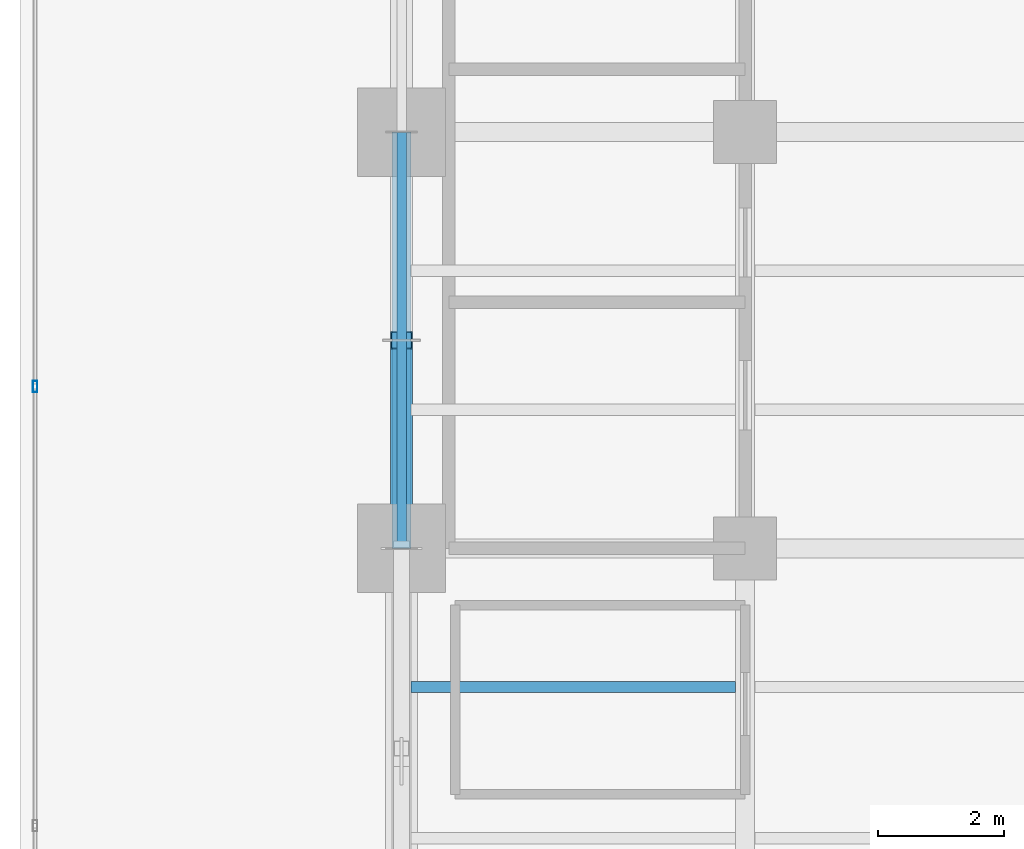
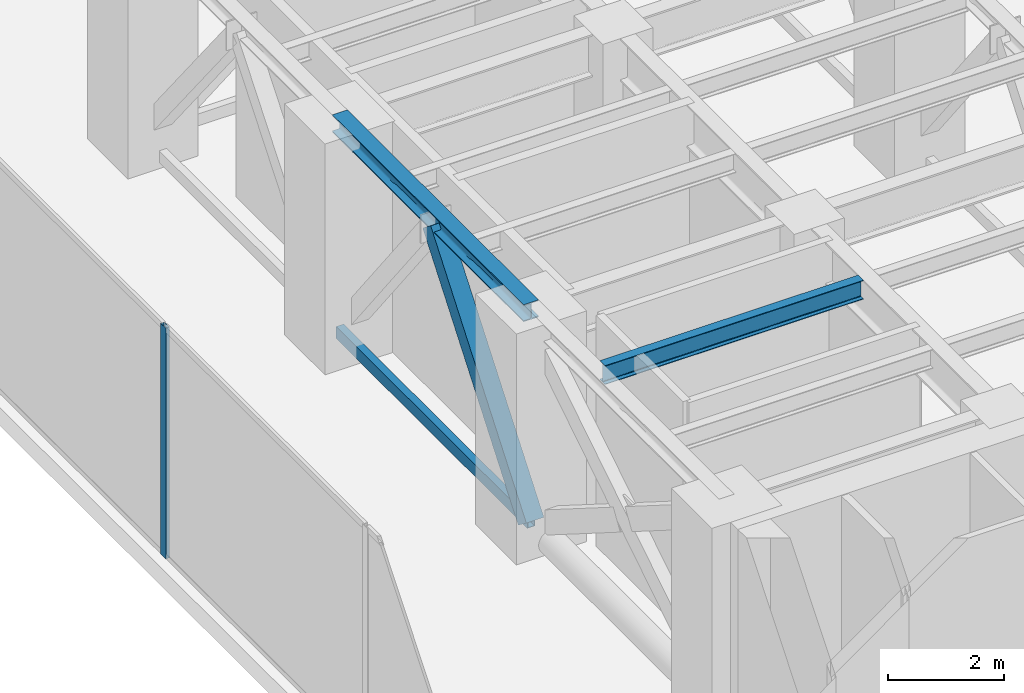
# One storey, part 10 of 37: 3 members, 2 beams, 1 element without a shape of its own.
"""IFC4 building model written with IfcOpenShell, lengths in metres."""

import ifcopenshell
import ifcopenshell.guid

model = None  # the IFC model being written
_history = None  # IfcOwnerHistory: only IFC2X3 demands one
_inside = {}  # id of a spatial element -> (the spatial element, [elements in it])
_under = {}  # id of a project, library or spatial element -> (it, [spatial elements below it])
_declared = {}  # id of a project -> (the project, [libraries it declares])
_typed = {}  # id of a type object -> (the type object, [elements of that type])
_made_of = {}  # id of a material, layer set ... -> (it, [elements and type objects made of it])


def new_model(schema):
    """Start an empty IFC model of exactly this schema.

    Asked for "IFC4X3", IfcOpenShell would pick the latest addendum, in which some entities
    have other attributes; the version numbers below select the first issue.
    IFC2X3 requires an IfcOwnerHistory on every rooted entity: one is made here for all.
    """
    global model, _history
    if schema == "IFC4X3":
        model = ifcopenshell.file(schema_version=(4, 3, 0, 0))
    else:
        model = ifcopenshell.file(schema=schema)
    _inside.clear()
    _under.clear()
    _declared.clear()
    _typed.clear()
    _made_of.clear()
    _history = None
    if model.schema == "IFC2X3":
        org = make("IfcOrganization", Name="unknown")
        user = make(
            "IfcPersonAndOrganization",
            ThePerson=make("IfcPerson", FamilyName="unknown"),
            TheOrganization=org,
        )
        app = make(
            "IfcApplication",
            ApplicationDeveloper=org,
            Version="unknown",
            ApplicationFullName="unknown",
            ApplicationIdentifier="unknown",
        )
        _history = make(
            "IfcOwnerHistory",
            OwningUser=user,
            OwningApplication=app,
            ChangeAction="ADDED",
            CreationDate=0,
        )
    return model


def make(cls, **values):
    """One entity of the class cls with the attributes given. An attribute that is None is left unset."""
    return model.create_entity(
        cls, **{name: value for name, value in values.items() if value is not None}
    )


def rooted(cls, **values):
    """An entity with a GlobalId (a new one), such as an element, a storey or a relation."""
    return make(cls, GlobalId=ifcopenshell.guid.new(), OwnerHistory=_history, **values)


def si_unit(unit_type, name, prefix=None):
    """IfcSIUnit, for example si_unit("LENGTHUNIT", "METRE", prefix="MILLI")."""
    return make("IfcSIUnit", UnitType=unit_type, Prefix=prefix, Name=name)


def assignment(units):
    """IfcUnitAssignment: the units of a project."""
    return None if units is None else make("IfcUnitAssignment", Units=units)


def point(xyz):
    """IfcCartesianPoint."""
    return None if xyz is None else make("IfcCartesianPoint", Coordinates=xyz)


def direction(xyz):
    """IfcDirection."""
    return None if xyz is None else make("IfcDirection", DirectionRatios=xyz)


def frame(location, z_axis=None, x_axis=None):
    """IfcAxis2Placement3D, a coordinate frame: its origin and axes. An axis left out is left unset."""
    return make(
        "IfcAxis2Placement3D",
        Location=point(location),
        Axis=direction(z_axis),
        RefDirection=direction(x_axis),
    )


def frame_2d(location, x_axis=None):
    """IfcAxis2Placement2D, a coordinate frame in the plane: its origin and x axis."""
    return make(
        "IfcAxis2Placement2D", Location=point(location), RefDirection=direction(x_axis)
    )


def origin():
    """The frame at (0, 0, 0) with its axes left unset."""
    return frame((0.0, 0.0, 0.0))


def origin_with_axes():
    """The frame at (0, 0, 0) with the z axis (0, 0, 1) and the x axis (1, 0, 0) written out."""
    return frame((0.0, 0.0, 0.0), z_axis=(0.0, 0.0, 1.0), x_axis=(1.0, 0.0, 0.0))


def origin_2d():
    """The frame at (0, 0) in the plane with its x axis left unset."""
    return frame_2d((0.0, 0.0))


def place(relative_to, where):
    """IfcLocalPlacement: puts the frame where relative to a parent placement (None: the world)."""
    return make(
        "IfcLocalPlacement", PlacementRelTo=relative_to, RelativePlacement=where
    )


def context(
    kind, dimensions, precision=None, world=None, true_north=None, identifier=None
):
    """IfcGeometricRepresentationContext, for example the 3D "Model" context."""
    return make(
        "IfcGeometricRepresentationContext",
        ContextIdentifier=identifier,
        ContextType=kind,
        CoordinateSpaceDimension=dimensions,
        Precision=precision,
        WorldCoordinateSystem=world,
        TrueNorth=true_north,
    )


def subcontext(parent, identifier, kind, view, scale=None):
    """IfcGeometricRepresentationSubContext, for example "Body" below "Model"."""
    return make(
        "IfcGeometricRepresentationSubContext",
        ContextIdentifier=identifier,
        ContextType=kind,
        ParentContext=parent,
        TargetScale=scale,
        TargetView=view,
    )


def project(units=None, contexts=None):
    """IfcProject with its units and contexts."""
    return rooted(
        "IfcProject",
        Name="project",
        RepresentationContexts=contexts,
        UnitsInContext=assignment(units),
    )


def spatial(cls, under=None, at=None, **own):
    """A site, building, storey or space (cls), placed at a placement, below another one or the project."""
    s = rooted(cls, ObjectPlacement=at, **own)
    if under is not None:
        _under.setdefault(under.id(), (under, []))[1].append(s)
    return s


def profile(cls, at=None, kind="AREA", **sizes):
    """A parametric profile (cls). Its sizes go by their IFC names, for example OverallWidth=200.0."""
    return make(cls, ProfileType=kind, Position=at, **sizes)


def hollow_rectangle(**sizes):
    """IfcRectangleHollowProfileDef."""
    return profile("IfcRectangleHollowProfileDef", **sizes)


def i_section(**sizes):
    """IfcIShapeProfileDef."""
    return profile("IfcIShapeProfileDef", **sizes)


def extrude(swept, where, along, depth):
    """IfcExtrudedAreaSolid: the profile swept, set in the frame where, extruded along a direction by depth."""
    return make(
        "IfcExtrudedAreaSolid",
        SweptArea=swept,
        Position=where,
        ExtrudedDirection=direction(along),
        Depth=depth,
    )


def shape(context_of_items, identifier, shape_type, items):
    """IfcShapeRepresentation: the items that make up one representation, for example the "Body"."""
    return make(
        "IfcShapeRepresentation",
        ContextOfItems=context_of_items,
        RepresentationIdentifier=identifier,
        RepresentationType=shape_type,
        Items=items,
    )


def source(mapping_origin, context_of_items, identifier, shape_type, items):
    """IfcRepresentationMap: a shape defined once, which mapped items show again and again."""
    return make(
        "IfcRepresentationMap",
        MappingOrigin=mapping_origin,
        MappedRepresentation=shape(context_of_items, identifier, shape_type, items),
    )


def transform(
    local_origin,
    x_axis=None,
    y_axis=None,
    z_axis=None,
    scale=None,
    scale2=None,
    scale3=None,
    uniform=True,
):
    """IfcCartesianTransformationOperator3D, or its non-uniform kind. x_axis, y_axis, z_axis: its Axis1, 2, 3."""
    if uniform:
        return make(
            "IfcCartesianTransformationOperator3D",
            Axis1=direction(x_axis),
            Axis2=direction(y_axis),
            LocalOrigin=point(local_origin),
            Scale=scale,
            Axis3=direction(z_axis),
        )
    return make(
        "IfcCartesianTransformationOperator3DnonUniform",
        Axis1=direction(x_axis),
        Axis2=direction(y_axis),
        LocalOrigin=point(local_origin),
        Scale=scale,
        Axis3=direction(z_axis),
        Scale2=scale2,
        Scale3=scale3,
    )


def mapped(mapping_source, mapping_target):
    """IfcMappedItem: shows the shape of a source again, moved by a transform."""
    return make(
        "IfcMappedItem", MappingSource=mapping_source, MappingTarget=mapping_target
    )


def material(Name=None, Category=None):
    """IfcMaterial."""
    return make("IfcMaterial", Name=Name, Category=Category)


def layer(
    of_material, thickness, ventilated=None, Name=None, Category=None, Priority=None
):
    """IfcMaterialLayer: one layer of a wall or slab, of a material (None: an air gap)."""
    return make(
        "IfcMaterialLayer",
        Material=of_material,
        LayerThickness=thickness,
        IsVentilated=ventilated,
        Name=Name,
        Category=Category,
        Priority=Priority,
    )


def layer_set(layers, Name=None):
    """IfcMaterialLayerSet."""
    return make("IfcMaterialLayerSet", MaterialLayers=layers, LayerSetName=Name)


def material_profile(
    of_material, cross_section, Name=None, Category=None, Priority=None
):
    """IfcMaterialProfile: a cross section and its material."""
    return make(
        "IfcMaterialProfile",
        Name=Name,
        Material=of_material,
        Profile=cross_section,
        Priority=Priority,
        Category=Category,
    )


def profile_set(profiles, Name=None, composite=None):
    """IfcMaterialProfileSet."""
    return make(
        "IfcMaterialProfileSet",
        Name=Name,
        MaterialProfiles=profiles,
        CompositeProfile=composite,
    )


def made_of(thing, what):
    """Note that an element or type object is made of a material, layer set ...; save() writes the relation."""
    if what is not None:
        _made_of.setdefault(what.id(), (what, []))[1].append(thing)
    return thing


def type_object(cls, material=None, **own):
    """A type object (cls), such as IfcWallType, which elements share."""
    return made_of(rooted(cls, **own), material)


def element(
    cls,
    number,
    at=None,
    inside=None,
    cuts=None,
    type_object=None,
    material=None,
    context=None,
    identifier="Body",
    shape_type=None,
    held_by="IfcProductDefinitionShape",
    body=None,
    shapes=None,
    **own,
):
    """One element of the class cls, such as IfcWall. Its Tag is "e" and its number.

    at: its placement. inside: the storey or other place that contains it. cuts: it is an
    opening in that element (IfcRelVoidsElement). A single representation is given by context,
    identifier, shape_type and body (its items); several are given by shapes. held_by: the class
    of the entity that holds the representations. save() writes the other relations.
    """
    e = rooted(cls, Tag="e%d" % number, ObjectPlacement=at, **own)
    if body is not None:
        shapes = [shape(context, identifier, shape_type, body)]
    if shapes is not None:
        e.Representation = make(held_by, Representations=shapes)
    if inside is not None:
        _inside.setdefault(inside.id(), (inside, []))[1].append(e)
    if cuts is not None:
        rooted(
            "IfcRelVoidsElement", RelatingBuildingElement=cuts, RelatedOpeningElement=e
        )
    if type_object is not None:
        _typed.setdefault(type_object.id(), (type_object, []))[1].append(e)
    return made_of(e, material)


def aggregate(whole, parts):
    """IfcRelAggregates: a whole, such as a stair, and the parts it consists of."""
    return rooted("IfcRelAggregates", RelatingObject=whole, RelatedObjects=parts)


def save(model, path):
    """Write the relations noted so far, then the file.

    IfcRelAggregates (storeys below a building ...), IfcRelContainedInSpatialStructure (elements
    in a storey), IfcRelDefinesByType, IfcRelAssociatesMaterial and IfcRelDeclares: one each for
    every whole, place, type object, material and project.
    """
    for whole, parts in _under.values():
        aggregate(whole, parts)
    for where, things in _inside.values():
        rooted(
            "IfcRelContainedInSpatialStructure",
            RelatedElements=things,
            RelatingStructure=where,
        )
    for kind, things in _typed.values():
        rooted("IfcRelDefinesByType", RelatedObjects=things, RelatingType=kind)
    for what, things in _made_of.values():
        rooted("IfcRelAssociatesMaterial", RelatedObjects=things, RelatingMaterial=what)
    for by, libraries in _declared.values():
        rooted("IfcRelDeclares", RelatingContext=by, RelatedDefinitions=libraries)
    model.write(path)


model = new_model("IFC4")

# Units and contexts
model_context = context("Model", 3, precision=1e-05, world=origin(), true_north=direction((0.0, 1.0)))
body_context = subcontext(model_context, "Body", "Model", "MODEL_VIEW")
ifc_project = project(units=[si_unit("LENGTHUNIT", "METRE"), si_unit("AREAUNIT", "SQUARE_METRE"), si_unit("VOLUMEUNIT", "CUBIC_METRE"), si_unit("PLANEANGLEUNIT", "RADIAN"), si_unit("MASSUNIT", "GRAM", prefix="KILO")], contexts=[model_context])

# Site, building, storey
site_placement = place(None, origin())
site = spatial("IfcSite", under=ifc_project, at=site_placement, CompositionType="ELEMENT")
building_placement = place(site_placement, origin())
building = spatial("IfcBuilding", under=site, at=building_placement, Name="Kolvaren Waterfront Exchange", CompositionType="ELEMENT")
storey_placement = place(building_placement, frame((0.0, 0.0, 141.10009765625)))
storey = spatial("IfcBuildingStorey", under=building, at=storey_placement, Name="L36", CompositionType="ELEMENT", Elevation=141.10009765625)

# Beams
ifc_material_1 = material(Name="Steel S355", Category="steel")
ifc_material_profile_1 = material_profile(ifc_material_1, i_section(OverallWidth=0.300048828125, OverallDepth=0.360107421875, WebThickness=0.012451171875, FlangeThickness=0.0224609375, FilletRadius=0.027099609375, at=origin_2d()), Name="HEB360")
ifc_profile_set_1 = profile_set([ifc_material_profile_1], Name="Steel S355")
beam_type_1 = type_object("IfcBeamType", Name="STR-BM-HEB360", PredefinedType="SPANDREL", material=ifc_profile_set_1)
beam_1_placement = place(storey_placement, frame((7.449951171875, 31.199951171875, 4.679931640625), z_axis=(0.0, 1.0, 0.0), x_axis=(-1.0, 0.0, 0.0)))
element("IfcBeam", 1, at=beam_1_placement, inside=storey, type_object=beam_type_1, Name="L36 north-arm edge beam 2", PredefinedType="SPANDREL", context=body_context, shape_type="SweptSolid", body=[
    extrude(i_section(OverallWidth=0.300048828125, OverallDepth=0.360107421875, WebThickness=0.012451171875, FlangeThickness=0.0224609375, FilletRadius=0.027099609375, at=origin_2d()), origin(), (0.0, 0.0, 1.0), 6.60009765625),
])
ifc_material_profile_2 = material_profile(ifc_material_1, i_section(OverallWidth=0.179931640625, OverallDepth=0.39990234375, WebThickness=0.008544921875, FlangeThickness=0.013427734375, FilletRadius=0.02099609375, at=origin_2d()), Name="IPE400")
ifc_profile_set_2 = profile_set([ifc_material_profile_2], Name="Steel S355")
beam_type_2 = type_object("IfcBeamType", Name="STR-BM-IPE400", PredefinedType="JOIST", material=ifc_profile_set_2)
beam_2_placement = place(storey_placement, frame((7.60205078125, 29.0, 4.659912109375), z_axis=(1.0, 0.0, 0.0), x_axis=(0.0, 1.0, 0.0)))
element("IfcBeam", 2, at=beam_2_placement, inside=storey, type_object=beam_type_2, Name="L36 north-arm composite joist 2A", PredefinedType="JOIST", context=body_context, shape_type="SweptSolid", body=[
    extrude(i_section(OverallWidth=0.179931640625, OverallDepth=0.39990234375, WebThickness=0.008544921875, FlangeThickness=0.013427734375, FilletRadius=0.02099609375, at=origin_2d()), origin(), (0.0, 0.0, 1.0), 5.14599609375),
])

# Members
ifc_material_2 = material(Name="Steel S460", Category="steel")
ifc_material_profile_3 = material_profile(ifc_material_2, hollow_rectangle(XDim=0.14990234375, YDim=0.25, WallThickness=0.010009765625, at=origin_2d()), Name="RHS250x150x10")
ifc_profile_set_3 = profile_set([ifc_material_profile_3], Name="Steel S460")
member_type_1 = type_object("IfcMemberType", Name="STR-BR-RHS250", PredefinedType="CHORD", material=ifc_profile_set_3)
member_1_placement = place(storey_placement, frame((7.449951171875, 31.199951171875, 0.25), z_axis=(0.0, 1.0, 0.0), x_axis=(-1.0, 0.0, 0.0)))
element("IfcMember", 3, at=member_1_placement, inside=storey, type_object=member_type_1, Name="L36 belt-truss bottom chord BT4", PredefinedType="CHORD", context=body_context, shape_type="SweptSolid", body=[
    extrude(hollow_rectangle(XDim=0.14990234375, YDim=0.25, WallThickness=0.010009765625, at=origin_2d()), origin(), (0.0, 0.0, 1.0), 6.60009765625),
])
ifc_material_profile_4 = material_profile(ifc_material_2, hollow_rectangle(XDim=0.35009765625, YDim=0.35009765625, WallThickness=0.01611328125, at=origin_2d()), Name="SHS350x350x16")
ifc_profile_set_4 = profile_set([ifc_material_profile_4], Name="Steel S460")
member_type_2 = type_object("IfcMemberType", Name="STR-BR-SHS350", PredefinedType="BRACE", material=ifc_profile_set_4)
member_2_placement = place(storey_placement, frame((7.449951171875, 31.199951171875, 0.25), z_axis=(0.0, 0.612402527517, 0.790546105101), x_axis=(-1.0, 0.0, 0.0)))
element("IfcMember", 4, at=member_2_placement, inside=storey, type_object=member_type_2, Name="L36 belt-truss chevron brace BT4L", PredefinedType="BRACE", context=body_context, shape_type="SweptSolid", body=[
    extrude(hollow_rectangle(XDim=0.35009765625, YDim=0.35009765625, WallThickness=0.01611328125, at=origin_2d()), origin(), (0.0, 0.0, 1.0), 5.388671875),
])

# Curtain wall, member
ifc_material_3 = material(Name="Anodised dark bronze spandrel aluminium", Category="aluminium")
ifc_layer = layer(ifc_material_3, 0.219970703125, Name="Anodised dark bronze spandrel aluminium")
ifc_layer_set = layer_set([ifc_layer], Name="Anodised dark bronze spandrel aluminium")
curtain_wall_type = type_object("IfcCurtainWallType", Name="ARC-CW-SYS6", PredefinedType="USERDEFINED", material=ifc_layer_set)
curtain_wall_placement = place(storey_placement, origin())
curtain_wall = element("IfcCurtainWall", 5, at=curtain_wall_placement, inside=storey, type_object=curtain_wall_type, Name="L36 stick curtain wall CW6 (CW-L36-W)", ObjectType="STICK CURTAIN WALL", PredefinedType="USERDEFINED")
ifc_material_4 = material(Name="Anodised bronze aluminium 6063-T6", Category="aluminium")
ifc_material_profile_5 = material_profile(ifc_material_4, hollow_rectangle(XDim=0.074951171875, YDim=0.179931640625, WallThickness=0.00439453125, at=origin_2d()), Name="ALU-MUL-180x75x4.5")
ifc_profile_set_5 = profile_set([ifc_material_profile_5], Name="Anodised bronze aluminium 6063-T6")
member_type_3 = type_object("IfcMemberType", Name="ARC-CWM-180", PredefinedType="MULLION", material=ifc_profile_set_5)
shared_shape = source(origin_with_axes(), body_context, "Body", "SweptSolid", [
    extrude(hollow_rectangle(XDim=0.074951171875, YDim=0.179931640625, WallThickness=0.00439453125, at=origin_2d()), origin(), (0.0, 0.0, 1.0), 4.85986328125),
])
member_3_placement = place(storey_placement, frame((1.639892578125, 33.7666015625, 0.0), z_axis=(0.0, 0.0, 1.0), x_axis=(-1.0, 0.0, 0.0)))
member_3 = element("IfcMember", 6, at=member_3_placement, type_object=member_type_3, Name="CW6 mullion 5", PredefinedType="MULLION", context=body_context, shape_type="MappedRepresentation", body=[
    mapped(shared_shape, transform((0.0, 0.0, 0.0), x_axis=(1.0, 0.0, 0.0), y_axis=(0.0, 1.0, 0.0), z_axis=(0.0, 0.0, 1.0), scale=1.0)),
])
aggregate(curtain_wall, [member_3])

save(model, "model.ifc")
